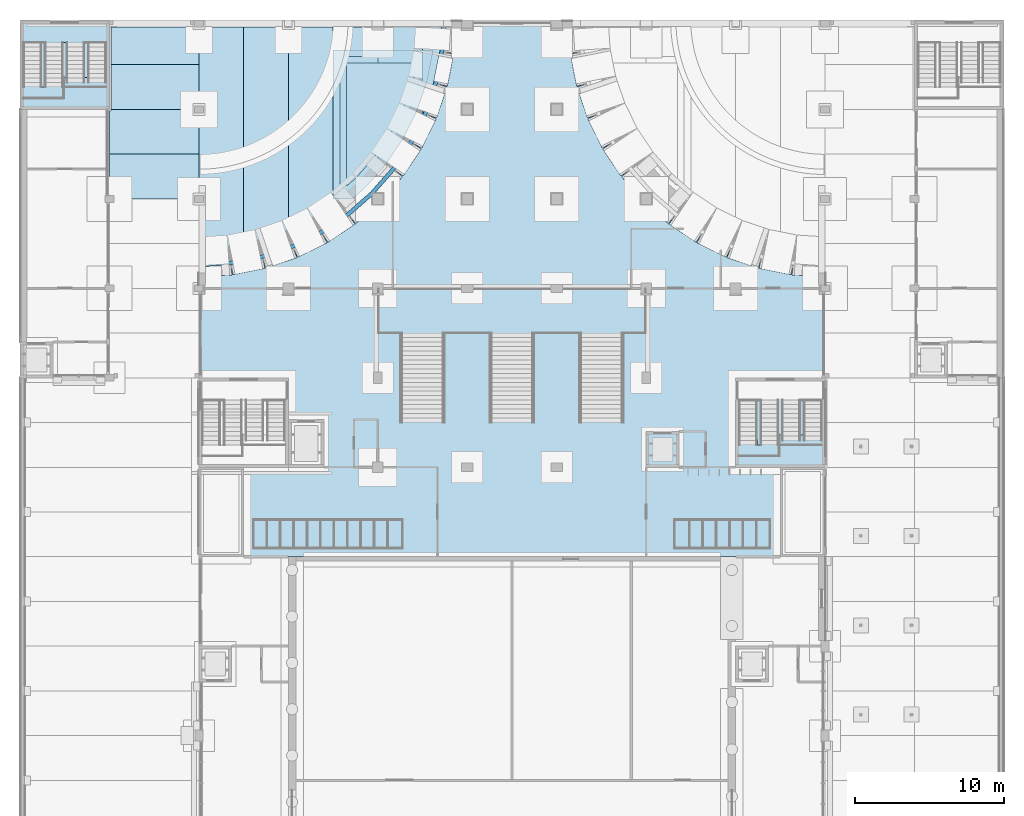
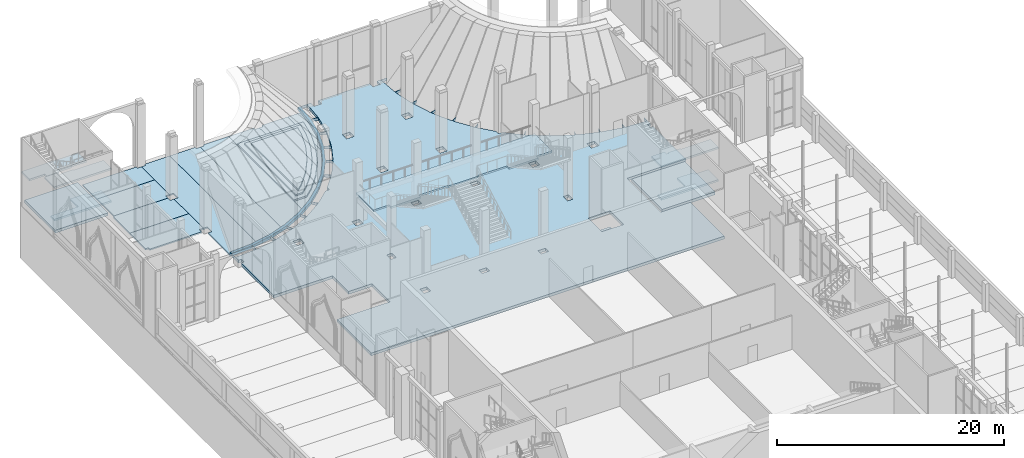
# One storey, part 37 of 95: 24 slabs, 3 elements without a shape of their own.
"""IFC4 building model written with IfcOpenShell, lengths in metres."""

from ifc_helpers import new_model, si_unit, direction, frame, origin, place, context, subcontext, project, spatial, polyline, outline, extrude, material, layer, layer_set, type_object, element, aggregate, save


model = new_model("IFC4")

# Units and contexts
model_context = context("Model", 3, precision=1e-05, world=origin(), true_north=direction((0.0, 1.0)))
body_context = subcontext(model_context, "Body", "Model", "MODEL_VIEW")
ifc_project = project(units=[si_unit("LENGTHUNIT", "METRE"), si_unit("AREAUNIT", "SQUARE_METRE"), si_unit("VOLUMEUNIT", "CUBIC_METRE"), si_unit("PLANEANGLEUNIT", "RADIAN"), si_unit("MASSUNIT", "GRAM", prefix="KILO")], contexts=[model_context])

# Site, building, storey
site_placement = place(None, origin())
site = spatial("IfcSite", under=ifc_project, at=site_placement, CompositionType="ELEMENT")
building_placement = place(site_placement, origin())
building = spatial("IfcBuilding", under=site, at=building_placement, Name="Saffron Lane Theatres", CompositionType="ELEMENT")
storey_placement = place(building_placement, origin())
storey = spatial("IfcBuildingStorey", under=building, at=storey_placement, Name="L00", CompositionType="ELEMENT", Elevation=0.0)

# Slabs
ifc_material_1 = material(Name="Masonry bluestone paving", Category="masonry")
ifc_layer_1 = layer(ifc_material_1, 0.14990234375)
ifc_layer_set_1 = layer_set([ifc_layer_1], Name="Masonry bluestone paving")
slab_type_1 = type_object("IfcSlabType", Name="EX-PAVING BLUESTONE 150", PredefinedType="USERDEFINED", material=ifc_layer_set_1)
slab_1_placement = place(storey_placement, frame((0.0, 0.0, -0.14990234375)))
element("IfcSlab", 1, at=slab_1_placement, inside=storey, type_object=slab_type_1, Name="West arcade lane paving 6", ObjectType="PAVING", PredefinedType="USERDEFINED", context=body_context, shape_type="SweptSolid", body=[
    extrude(outline(polyline([(6.00390625, 119.880126953125), (6.00390625, 117.0), (12.0, 117.0), (12.0, 119.59619140625), (11.60009765625, 119.59619140625), (11.599609375, 119.59619140625), (11.599365234375, 119.59619140625), (11.598876953125, 119.59619140625), (11.5986328125, 119.596435546875), (11.59814453125, 119.5966796875), (11.597900390625, 119.5966796875), (11.59765625, 119.596923828125), (11.59716796875, 119.59716796875), (11.596923828125, 119.59765625), (11.5966796875, 119.597900390625), (11.5966796875, 119.59814453125), (11.596435546875, 119.5986328125), (11.59619140625, 119.598876953125), (11.59619140625, 119.599365234375), (11.59619140625, 119.599609375), (11.59619140625, 119.60009765625), (11.59619140625, 120.0), (6.1201171875, 120.0), (6.119384765625, 119.98828125), (6.11767578125, 119.9765625), (6.11474609375, 119.965087890625), (6.11083984375, 119.9541015625), (6.105712890625, 119.943359375), (6.099853515625, 119.933349609375), (6.0927734375, 119.923828125), (6.0849609375, 119.9150390625), (6.076171875, 119.9072265625), (6.066650390625, 119.900146484375), (6.056640625, 119.894287109375), (6.0458984375, 119.88916015625), (6.034912109375, 119.88525390625), (6.0234375, 119.88232421875), (6.01171875, 119.880615234375), (6.00390625, 119.880126953125)])), origin(), (0.0, 0.0, 1.0), 0.14990234375),
])
slab_2_placement = place(storey_placement, frame((0.0, 0.0, -0.14990234375)))
element("IfcSlab", 2, at=slab_2_placement, inside=storey, type_object=slab_type_1, Name="West arcade lane paving 8", ObjectType="PAVING", PredefinedType="USERDEFINED", context=body_context, shape_type="SweptSolid", body=[
    extrude(outline(polyline([(6.1201171875, 125.54541015625), (6.1201171875, 123.0), (12.0, 123.0), (12.0, 125.345703125), (11.60009765625, 125.345703125), (11.599609375, 125.345703125), (11.599365234375, 125.345703125), (11.598876953125, 125.345703125), (11.5986328125, 125.345947265625), (11.59814453125, 125.34619140625), (11.597900390625, 125.34619140625), (11.59765625, 125.346435546875), (11.59716796875, 125.3466796875), (11.596923828125, 125.34716796875), (11.5966796875, 125.347412109375), (11.5966796875, 125.34765625), (11.596435546875, 125.34814453125), (11.59619140625, 125.348388671875), (11.59619140625, 125.348876953125), (11.59619140625, 125.34912109375), (11.59619140625, 125.349609375), (11.59619140625, 125.54541015625), (6.1201171875, 125.54541015625)])), origin(), (0.0, 0.0, 1.0), 0.14990234375),
])
slab_3_placement = place(storey_placement, frame((0.0, 0.0, -0.14990234375)))
element("IfcSlab", 3, at=slab_3_placement, inside=storey, type_object=slab_type_1, Name="West forecourt paving 3", ObjectType="PAVING", PredefinedType="USERDEFINED", context=body_context, shape_type="SweptSolid", body=[
    extrude(outline(polyline([(17.59619140625, 125.54541015625), (15.0, 125.54541015625), (15.0, 110.0166015625), (16.2177734375, 110.2587890625), (18.0, 110.86376953125), (18.0, 125.345703125), (17.60009765625, 125.345703125), (17.599609375, 125.345703125), (17.599365234375, 125.345703125), (17.598876953125, 125.345703125), (17.5986328125, 125.345947265625), (17.59814453125, 125.34619140625), (17.597900390625, 125.34619140625), (17.59765625, 125.346435546875), (17.59716796875, 125.3466796875), (17.596923828125, 125.34716796875), (17.5966796875, 125.347412109375), (17.5966796875, 125.34765625), (17.596435546875, 125.34814453125), (17.59619140625, 125.348388671875), (17.59619140625, 125.348876953125), (17.59619140625, 125.34912109375), (17.59619140625, 125.349609375), (17.59619140625, 125.54541015625)])), origin(), (0.0, 0.0, 1.0), 0.14990234375),
])
slab_4_placement = place(storey_placement, frame((0.0, 0.0, -0.14990234375)))
element("IfcSlab", 4, at=slab_4_placement, inside=storey, type_object=slab_type_1, Name="West forecourt paving 7", ObjectType="PAVING", PredefinedType="USERDEFINED", context=body_context, shape_type="SweptSolid", body=[
    extrude(outline(polyline([(23.59619140625, 125.54541015625), (21.0, 125.54541015625), (21.0, 112.4560546875), (21.92041015625, 113.071044921875), (23.52294921875, 114.4765625), (24.0, 115.0205078125), (24.0, 125.320556640625), (23.60009765625, 125.320556640625), (23.599609375, 125.320556640625), (23.599365234375, 125.320556640625), (23.598876953125, 125.320556640625), (23.5986328125, 125.32080078125), (23.59814453125, 125.321044921875), (23.597900390625, 125.321044921875), (23.59765625, 125.3212890625), (23.59716796875, 125.321533203125), (23.596923828125, 125.322021484375), (23.5966796875, 125.322265625), (23.5966796875, 125.322509765625), (23.596435546875, 125.322998046875), (23.59619140625, 125.3232421875), (23.59619140625, 125.32373046875), (23.59619140625, 125.323974609375), (23.59619140625, 125.324462890625), (23.59619140625, 125.54541015625)])), origin(), (0.0, 0.0, 1.0), 0.14990234375),
])
slab_5_placement = place(storey_placement, frame((0.0, 0.0, -0.14990234375)))
element("IfcSlab", 5, at=slab_5_placement, inside=storey, type_object=slab_type_1, Name="West forecourt paving 11", ObjectType="PAVING", PredefinedType="USERDEFINED", context=body_context, shape_type="SweptSolid", body=[
    extrude(outline(polyline([(28.266357421875, 125.54541015625), (27.0, 125.54541015625), (27.0, 119.65087890625), (27.055419921875, 119.763427734375), (27.74072265625, 121.78173828125), (28.15673828125, 123.872314453125), (28.266357421875, 125.54541015625)])), origin(), (0.0, 0.0, 1.0), 0.14990234375),
])
ifc_material_2 = material(Name="Masonry sandstone paving", Category="masonry")
ifc_layer_2 = layer(ifc_material_2, 0.14990234375)
ifc_layer_set_2 = layer_set([ifc_layer_2], Name="Masonry sandstone paving")
slab_type_2 = type_object("IfcSlabType", Name="EX-PAVING SANDSTONE 150", PredefinedType="USERDEFINED", material=ifc_layer_set_2)
slab_6_placement = place(storey_placement, frame((0.0, 0.0, -0.14990234375)))
element("IfcSlab", 6, at=slab_6_placement, inside=storey, type_object=slab_type_2, Name="West arcade lane paving 5", ObjectType="PAVING", PredefinedType="USERDEFINED", context=body_context, shape_type="SweptSolid", body=[
    extrude(outline(polyline([(6.303955078125, 114.22509765625), (6.303955078125, 114.0), (11.59619140625, 114.0), (11.59619140625, 114.39990234375), (11.59619140625, 114.400390625), (11.59619140625, 114.400634765625), (11.59619140625, 114.401123046875), (11.596435546875, 114.4013671875), (11.5966796875, 114.40185546875), (11.5966796875, 114.402099609375), (11.596923828125, 114.40234375), (11.59716796875, 114.40283203125), (11.59765625, 114.403076171875), (11.597900390625, 114.4033203125), (11.59814453125, 114.4033203125), (11.5986328125, 114.403564453125), (11.598876953125, 114.40380859375), (11.599365234375, 114.40380859375), (11.599609375, 114.40380859375), (11.60009765625, 114.40380859375), (12.0, 114.40380859375), (12.0, 117.0), (6.00390625, 117.0), (6.00390625, 114.22900390625), (6.300048828125, 114.22900390625), (6.30029296875, 114.22900390625), (6.30078125, 114.22900390625), (6.30126953125, 114.228759765625), (6.301513671875, 114.228759765625), (6.302001953125, 114.228515625), (6.30224609375, 114.228271484375), (6.302490234375, 114.22802734375), (6.302734375, 114.227783203125), (6.302978515625, 114.2275390625), (6.30322265625, 114.227294921875), (6.303466796875, 114.226806640625), (6.3037109375, 114.2265625), (6.3037109375, 114.22607421875), (6.303955078125, 114.225830078125), (6.303955078125, 114.225341796875), (6.303955078125, 114.22509765625)])), origin(), (0.0, 0.0, 1.0), 0.14990234375),
])
slab_7_placement = place(storey_placement, frame((0.0, 0.0, -0.14990234375)))
element("IfcSlab", 7, at=slab_7_placement, inside=storey, type_object=slab_type_2, Name="West arcade lane paving 7", ObjectType="PAVING", PredefinedType="USERDEFINED", context=body_context, shape_type="SweptSolid", body=[
    extrude(outline(polyline([(6.1201171875, 123.0), (6.1201171875, 120.0), (11.59619140625, 120.0), (11.59619140625, 120.39990234375), (11.59619140625, 120.400390625), (11.59619140625, 120.400634765625), (11.59619140625, 120.401123046875), (11.596435546875, 120.4013671875), (11.5966796875, 120.40185546875), (11.5966796875, 120.402099609375), (11.596923828125, 120.40234375), (11.59716796875, 120.40283203125), (11.59765625, 120.403076171875), (11.597900390625, 120.4033203125), (11.59814453125, 120.4033203125), (11.5986328125, 120.403564453125), (11.598876953125, 120.40380859375), (11.599365234375, 120.40380859375), (11.599609375, 120.40380859375), (11.60009765625, 120.40380859375), (12.0, 120.40380859375), (12.0, 123.0), (6.1201171875, 123.0)])), origin(), (0.0, 0.0, 1.0), 0.14990234375),
])
slab_8_placement = place(storey_placement, frame((0.0, 0.0, -0.14990234375)))
element("IfcSlab", 8, at=slab_8_placement, inside=storey, type_object=slab_type_2, Name="West forecourt paving 1", ObjectType="PAVING", PredefinedType="USERDEFINED", context=body_context, shape_type="SweptSolid", body=[
    extrude(outline(polyline([(12.40234375, 125.346435546875), (12.402099609375, 125.34619140625), (12.40185546875, 125.34619140625), (12.4013671875, 125.345947265625), (12.401123046875, 125.345703125), (12.400634765625, 125.345703125), (12.400390625, 125.345703125), (12.39990234375, 125.345703125), (12.0, 125.345703125), (12.0, 120.40380859375), (12.39990234375, 120.40380859375), (12.400390625, 120.40380859375), (12.400634765625, 120.40380859375), (12.401123046875, 120.40380859375), (12.4013671875, 120.403564453125), (12.40185546875, 120.4033203125), (12.402099609375, 120.4033203125), (12.40234375, 120.403076171875), (12.40283203125, 120.40283203125), (12.403076171875, 120.40234375), (12.4033203125, 120.402099609375), (12.4033203125, 120.40185546875), (12.403564453125, 120.4013671875), (12.40380859375, 120.401123046875), (12.40380859375, 120.400634765625), (12.40380859375, 120.400390625), (12.40380859375, 120.39990234375), (12.40380859375, 119.60009765625), (12.40380859375, 119.599609375), (12.40380859375, 119.599365234375), (12.40380859375, 119.598876953125), (12.403564453125, 119.5986328125), (12.4033203125, 119.59814453125), (12.4033203125, 119.597900390625), (12.403076171875, 119.59765625), (12.40283203125, 119.59716796875), (12.40234375, 119.596923828125), (12.402099609375, 119.5966796875), (12.40185546875, 119.5966796875), (12.4013671875, 119.596435546875), (12.401123046875, 119.59619140625), (12.400634765625, 119.59619140625), (12.400390625, 119.59619140625), (12.39990234375, 119.59619140625), (12.0, 119.59619140625), (12.0, 114.40380859375), (12.39990234375, 114.40380859375), (12.400390625, 114.40380859375), (12.400634765625, 114.40380859375), (12.401123046875, 114.40380859375), (12.4013671875, 114.403564453125), (12.40185546875, 114.4033203125), (12.402099609375, 114.4033203125), (12.40234375, 114.403076171875), (12.40283203125, 114.40283203125), (12.403076171875, 114.40234375), (12.4033203125, 114.402099609375), (12.4033203125, 114.40185546875), (12.403564453125, 114.4013671875), (12.40380859375, 114.401123046875), (12.40380859375, 114.400634765625), (12.40380859375, 114.400390625), (12.40380859375, 114.39990234375), (12.40380859375, 113.60009765625), (12.40380859375, 113.599609375), (12.40380859375, 113.599365234375), (12.40380859375, 113.598876953125), (12.403564453125, 113.5986328125), (12.4033203125, 113.59814453125), (12.4033203125, 113.597900390625), (12.403076171875, 113.59765625), (12.40283203125, 113.59716796875), (12.40234375, 113.596923828125), (12.402099609375, 113.5966796875), (12.40185546875, 113.5966796875), (12.4013671875, 113.596435546875), (12.401123046875, 113.59619140625), (12.400634765625, 113.59619140625), (12.400390625, 113.59619140625), (12.39990234375, 113.59619140625), (12.0, 113.59619140625), (12.0, 109.70361328125), (14.127197265625, 109.8427734375), (15.0, 110.0166015625), (15.0, 125.54541015625), (12.40380859375, 125.54541015625), (12.40380859375, 125.349609375), (12.40380859375, 125.34912109375), (12.40380859375, 125.348876953125), (12.40380859375, 125.348388671875), (12.403564453125, 125.34814453125), (12.4033203125, 125.34765625), (12.4033203125, 125.347412109375), (12.403076171875, 125.34716796875), (12.40283203125, 125.3466796875), (12.40234375, 125.346435546875)])), origin(), (0.0, 0.0, 1.0), 0.14990234375),
])
slab_9_placement = place(storey_placement, frame((0.0, 0.0, -0.14990234375)))
element("IfcSlab", 9, at=slab_9_placement, inside=storey, type_object=slab_type_2, Name="West forecourt paving 5", ObjectType="PAVING", PredefinedType="USERDEFINED", context=body_context, shape_type="SweptSolid", body=[
    extrude(outline(polyline([(18.39990234375, 125.345703125), (18.0, 125.345703125), (18.0, 110.86376953125), (18.236083984375, 110.944091796875), (20.14794921875, 111.88671875), (21.0, 112.4560546875), (21.0, 125.54541015625), (18.40380859375, 125.54541015625), (18.40380859375, 125.349609375), (18.40380859375, 125.34912109375), (18.40380859375, 125.348876953125), (18.40380859375, 125.348388671875), (18.403564453125, 125.34814453125), (18.4033203125, 125.34765625), (18.4033203125, 125.347412109375), (18.403076171875, 125.34716796875), (18.40283203125, 125.3466796875), (18.40234375, 125.346435546875), (18.402099609375, 125.34619140625), (18.40185546875, 125.34619140625), (18.4013671875, 125.345947265625), (18.401123046875, 125.345703125), (18.400634765625, 125.345703125), (18.400390625, 125.345703125), (18.39990234375, 125.345703125)])), origin(), (0.0, 0.0, 1.0), 0.14990234375),
])
slab_10_placement = place(storey_placement, frame((0.0, 0.0, -0.14990234375)))
element("IfcSlab", 10, at=slab_10_placement, inside=storey, type_object=slab_type_2, Name="West forecourt paving 9", ObjectType="PAVING", PredefinedType="USERDEFINED", context=body_context, shape_type="SweptSolid", body=[
    extrude(outline(polyline([(24.39990234375, 125.320556640625), (24.0, 125.320556640625), (24.0, 115.0205078125), (24.928466796875, 116.0791015625), (26.11279296875, 117.8515625), (27.0, 119.65087890625), (27.0, 125.54541015625), (24.40380859375, 125.54541015625), (24.40380859375, 125.324462890625), (24.40380859375, 125.323974609375), (24.40380859375, 125.32373046875), (24.40380859375, 125.3232421875), (24.403564453125, 125.322998046875), (24.4033203125, 125.322509765625), (24.4033203125, 125.322265625), (24.403076171875, 125.322021484375), (24.40283203125, 125.321533203125), (24.40234375, 125.3212890625), (24.402099609375, 125.321044921875), (24.40185546875, 125.321044921875), (24.4013671875, 125.32080078125), (24.401123046875, 125.320556640625), (24.400634765625, 125.320556640625), (24.400390625, 125.320556640625), (24.39990234375, 125.320556640625)])), origin(), (0.0, 0.0, 1.0), 0.14990234375),
])
ifc_material_3 = material(Name="Masonry sandstone paving", Category="masonry")
ifc_layer_3 = layer(ifc_material_3, 0.14990234375)
ifc_layer_set_3 = layer_set([ifc_layer_3], Name="Masonry sandstone paving")
slab_type_3 = type_object("IfcSlabType", Name="EX-PLAZA STEP SANDSTONE 150 1", PredefinedType="USERDEFINED", material=ifc_layer_set_3)
slab_11_placement = place(storey_placement, origin())
element("IfcSlab", 11, at=slab_11_placement, inside=storey, type_object=slab_type_3, Name="Plaza step 1 NW 1", ObjectType="PAVING", PredefinedType="USERDEFINED", context=body_context, shape_type="SweptSolid", body=[
    extrude(outline(polyline([(21.0, 124.0), (21.0, 114.0), (22.297119140625, 114.0), (23.2041015625, 114.79541015625), (24.57080078125, 116.353759765625), (25.72216796875, 118.076904296875), (26.638916015625, 119.93603515625), (27.30517578125, 121.8984375), (27.70947265625, 123.931396484375), (27.714111328125, 124.0), (21.0, 124.0)])), origin(), (0.0, 0.0, 1.0), 0.14990234375),
])
ifc_material_4 = material(Name="Masonry sandstone paving", Category="masonry")
ifc_layer_4 = layer(ifc_material_4, 0.14990234375)
ifc_layer_set_4 = layer_set([ifc_layer_4], Name="Masonry sandstone paving")
slab_type_4 = type_object("IfcSlabType", Name="EX-PLAZA STEP SANDSTONE 150 2", PredefinedType="USERDEFINED", material=ifc_layer_set_4)
slab_12_placement = place(storey_placement, frame((0.0, 0.0, 0.14990234375)))
element("IfcSlab", 12, at=slab_12_placement, inside=storey, type_object=slab_type_4, Name="Plaza step 2 NW 1", ObjectType="PAVING", PredefinedType="USERDEFINED", context=body_context, shape_type="SweptSolid", body=[
    extrude(outline(polyline([(21.449951171875, 123.550048828125), (21.449951171875, 114.449951171875), (22.127685546875, 114.449951171875), (22.88525390625, 115.1142578125), (24.212890625, 116.628173828125), (25.33154296875, 118.302490234375), (26.22216796875, 120.1083984375), (26.86962890625, 122.01513671875), (27.1748046875, 123.550048828125), (21.449951171875, 123.550048828125)])), origin(), (0.0, 0.0, 1.0), 0.150146484375),
])
ifc_material_5 = material(Name="Masonry sandstone paving", Category="masonry")
ifc_layer_5 = layer(ifc_material_5, 0.14990234375)
ifc_layer_set_5 = layer_set([ifc_layer_5], Name="Masonry sandstone paving")
slab_type_5 = type_object("IfcSlabType", Name="EX-PLAZA STEP SANDSTONE 150 3", PredefinedType="USERDEFINED", material=ifc_layer_set_5)
slab_13_placement = place(storey_placement, frame((0.0, 0.0, 0.300048828125)))
element("IfcSlab", 13, at=slab_13_placement, inside=storey, type_object=slab_type_5, Name="Plaza step 3 NW 1", ObjectType="PAVING", PredefinedType="USERDEFINED", context=body_context, shape_type="SweptSolid", body=[
    extrude(outline(polyline([(21.89990234375, 123.10009765625), (21.89990234375, 114.89990234375), (21.95849609375, 114.89990234375), (22.56640625, 115.43310546875), (23.855224609375, 116.90283203125), (24.941162109375, 118.52783203125), (25.8056640625, 120.281005859375), (26.433837890625, 122.1318359375), (26.62646484375, 123.10009765625), (21.89990234375, 123.10009765625)])), origin(), (0.0, 0.0, 1.0), 0.14990234375),
])
ifc_material_6 = material(Name="Concrete N40 (40 MPa)", Category="concrete")
ifc_layer_6 = layer(ifc_material_6, 0.300048828125)
ifc_layer_set_6 = layer_set([ifc_layer_6], Name="Concrete N40 (40 MPa)")
slab_type_6 = type_object("IfcSlabType", Name="RC-SLAB BASE 300", PredefinedType="BASESLAB", material=ifc_layer_set_6)
slab_14_placement = place(storey_placement, origin())
element("IfcSlab", 14, at=slab_14_placement, inside=storey, type_object=slab_type_6, Name="slab-L00-BRICK-1", PredefinedType="BASESLAB", context=body_context, shape_type="SweptSolid", body=[
    extrude(outline(polyline([(47.5, 90.0), (48.0, 90.0), (51.0, 90.0), (51.0, 96.0), (48.0, 96.0), (48.0, 102.0), (54.0, 102.0), (54.0, 107.77294921875), (53.697998046875, 107.77294921875), (53.697998046875, 108.22705078125), (54.0, 108.22705078125), (54.0, 109.403564453125), (53.958251953125, 108.7666015625), (51.7919921875, 108.90869140625), (51.833740234375, 109.545654296875), (51.709228515625, 108.91943359375), (49.580078125, 109.343017578125), (49.70458984375, 109.968994140625), (49.49951171875, 109.364501953125), (47.44384765625, 110.0625), (47.64892578125, 110.6669921875), (47.36669921875, 110.094482421875), (45.419677734375, 111.054443359375), (45.7021484375, 111.626953125), (45.347412109375, 111.09619140625), (43.54248046875, 112.30224609375), (43.897216796875, 112.8330078125), (43.476318359375, 112.353271484375), (42.0283203125, 113.623046875), (41.623046875, 113.623046875), (41.623046875, 114.0283203125), (40.353759765625, 115.4755859375), (40.83349609375, 115.896484375), (40.302734375, 115.5419921875), (39.0966796875, 117.346923828125), (39.62744140625, 117.70166015625), (39.054931640625, 117.419189453125), (38.094970703125, 119.3662109375), (38.66748046875, 119.6484375), (38.06298828125, 119.443359375), (37.364990234375, 121.4990234375), (37.969482421875, 121.7041015625), (37.343505859375, 121.57958984375), (36.919921875, 123.708740234375), (37.546142578125, 123.833251953125), (36.9091796875, 123.79150390625), (36.76708984375, 125.957763671875), (37.404052734375, 125.99951171875), (36.376953125, 125.99951171875), (36.376953125, 125.447509765625), (35.623046875, 125.447509765625), (35.623046875, 125.99951171875), (30.376953125, 125.99951171875), (30.376953125, 125.447509765625), (29.623046875, 125.447509765625), (29.623046875, 125.99951171875), (28.595947265625, 125.99951171875), (29.23291015625, 125.957763671875), (29.0908203125, 123.79150390625), (28.453857421875, 123.833251953125), (29.080078125, 123.708740234375), (28.656494140625, 121.57958984375), (28.030517578125, 121.7041015625), (28.635009765625, 121.4990234375), (27.93701171875, 119.443359375), (27.33251953125, 119.6484375), (27.905029296875, 119.3662109375), (26.945068359375, 117.419189453125), (26.37255859375, 117.70166015625), (26.9033203125, 117.346923828125), (25.697265625, 115.5419921875), (25.16650390625, 115.896484375), (25.646240234375, 115.4755859375), (24.376953125, 114.0283203125), (24.376953125, 113.623046875), (23.9716796875, 113.623046875), (22.523681640625, 112.353271484375), (22.102783203125, 112.8330078125), (22.45751953125, 112.30224609375), (20.652587890625, 111.09619140625), (20.2978515625, 111.626953125), (20.580322265625, 111.054443359375), (18.63330078125, 110.094482421875), (18.35107421875, 110.6669921875), (18.55615234375, 110.0625), (16.50048828125, 109.364501953125), (16.29541015625, 109.968994140625), (16.419921875, 109.343017578125), (14.290771484375, 108.91943359375), (14.166259765625, 109.545654296875), (14.2080078125, 108.90869140625), (12.041748046875, 108.7666015625), (12.0, 109.403564453125), (12.0, 108.22705078125), (12.302001953125, 108.22705078125), (12.302001953125, 107.77294921875), (12.0, 107.77294921875), (12.0, 102.0), (18.0, 102.0), (18.0, 99.199951171875), (20.39990234375, 99.199951171875), (20.39990234375, 96.0), (18.0, 96.0), (15.0, 96.0), (15.0, 90.0), (18.0, 90.0), (18.5, 90.0), (47.5, 90.0)]), holes=[polyline([(47.623046875, 108.376953125), (48.376953125, 108.376953125), (48.376953125, 107.623046875), (47.623046875, 107.623046875), (47.623046875, 108.376953125)]), polyline([(42.0, 96.0), (42.0, 98.39990234375), (44.199951171875, 98.39990234375), (44.199951171875, 96.0), (42.0, 96.0)]), polyline([(41.64794921875, 107.64794921875), (41.64794921875, 108.35205078125), (42.35205078125, 108.35205078125), (42.35205078125, 107.64794921875), (41.64794921875, 107.64794921875)]), polyline([(41.722900390625, 102.376953125), (42.277099609375, 102.376953125), (42.277099609375, 101.623046875), (41.722900390625, 101.623046875), (41.722900390625, 102.376953125)]), polyline([(35.623046875, 95.722900390625), (35.623046875, 96.277099609375), (36.376953125, 96.277099609375), (36.376953125, 95.722900390625), (35.623046875, 95.722900390625)]), polyline([(35.623046875, 119.623046875), (35.623046875, 120.376953125), (36.376953125, 120.376953125), (36.376953125, 119.623046875), (35.623046875, 119.623046875)]), polyline([(35.623046875, 113.623046875), (35.623046875, 114.376953125), (36.376953125, 114.376953125), (36.376953125, 113.623046875), (35.623046875, 113.623046875)]), polyline([(35.623046875, 108.277099609375), (36.376953125, 108.277099609375), (36.376953125, 107.722900390625), (35.623046875, 107.722900390625), (35.623046875, 108.277099609375)]), polyline([(29.623046875, 120.376953125), (30.376953125, 120.376953125), (30.376953125, 119.623046875), (29.623046875, 119.623046875), (29.623046875, 120.376953125)]), polyline([(29.623046875, 113.623046875), (29.623046875, 114.376953125), (30.376953125, 114.376953125), (30.376953125, 113.623046875), (29.623046875, 113.623046875)]), polyline([(29.623046875, 108.277099609375), (30.376953125, 108.277099609375), (30.376953125, 107.722900390625), (29.623046875, 107.722900390625), (29.623046875, 108.277099609375)]), polyline([(29.623046875, 95.722900390625), (29.623046875, 96.277099609375), (30.376953125, 96.277099609375), (30.376953125, 95.722900390625), (29.623046875, 95.722900390625)]), polyline([(23.64794921875, 107.64794921875), (23.64794921875, 108.35205078125), (24.35205078125, 108.35205078125), (24.35205078125, 107.64794921875), (23.64794921875, 107.64794921875)]), polyline([(23.64794921875, 96.35205078125), (24.35205078125, 96.35205078125), (24.35205078125, 95.64794921875), (23.64794921875, 95.64794921875), (23.64794921875, 96.35205078125)]), polyline([(23.722900390625, 101.623046875), (23.722900390625, 102.376953125), (24.277099609375, 102.376953125), (24.277099609375, 101.623046875), (23.722900390625, 101.623046875)]), polyline([(17.623046875, 107.623046875), (17.623046875, 108.376953125), (18.376953125, 108.376953125), (18.376953125, 107.623046875), (17.623046875, 107.623046875)])]), origin(), (0.0, 0.0, 1.0), 0.300048828125),
])
slab_15_placement = place(storey_placement, origin())
element("IfcSlab", 15, at=slab_15_placement, inside=storey, type_object=slab_type_6, Name="slab-L00-BRICK-2", PredefinedType="BASESLAB", context=body_context, shape_type="SweptSolid", body=[
    extrude(outline(polyline([(12.0, 113.77294921875), (12.0, 113.77294921875), (12.0, 109.436279296875), (14.161865234375, 109.577880859375), (16.286865234375, 110.00048828125), (18.33837890625, 110.697021484375), (20.28173828125, 111.6552734375), (22.0830078125, 112.85888671875), (23.623046875, 114.20947265625), (23.623046875, 114.376953125), (23.79052734375, 114.376953125), (25.140625, 115.91650390625), (26.34423828125, 117.7177734375), (27.302490234375, 119.660888671875), (27.998779296875, 121.712646484375), (28.421630859375, 123.837646484375), (28.563232421875, 125.99951171875), (28.300048828125, 125.99951171875), (28.16064453125, 123.871826171875), (27.74462890625, 121.78076171875), (27.05908203125, 119.76171875), (26.1162109375, 117.849609375), (24.931640625, 116.07666015625), (23.52587890625, 114.4736328125), (21.9228515625, 113.06787109375), (20.14990234375, 111.88330078125), (18.23779296875, 110.940185546875), (16.21875, 110.2548828125), (14.127685546875, 109.8388671875), (12.0, 109.699462890625), (12.0, 113.77294921875)])), origin(), (0.0, 0.0, 1.0), 0.300048828125),
])
slab_16_placement = place(storey_placement, origin())
element("IfcSlab", 16, at=slab_16_placement, inside=storey, type_object=slab_type_6, Name="slab-L00-core-ST2", PredefinedType="BASESLAB", context=body_context, shape_type="SweptSolid", body=[
    extrude(outline(polyline([(48.300048828125, 96.300048828125), (53.699951171875, 96.300048828125), (53.699951171875, 101.699951171875), (48.300048828125, 101.699951171875), (48.300048828125, 96.300048828125)])), origin(), (0.0, 0.0, 1.0), 0.300048828125),
])
slab_17_placement = place(storey_placement, origin())
element("IfcSlab", 17, at=slab_17_placement, inside=storey, type_object=slab_type_6, Name="slab-L00-core-ST14", PredefinedType="BASESLAB", context=body_context, shape_type="SweptSolid", body=[
    extrude(outline(polyline([(0.300048828125, 120.300048828125), (5.699951171875, 120.300048828125), (5.699951171875, 125.699951171875), (0.300048828125, 125.699951171875), (0.300048828125, 120.300048828125)])), origin(), (0.0, 0.0, 1.0), 0.300048828125),
])
slab_18_placement = place(storey_placement, frame((0.0, 0.0, -1.699951171875)))
element("IfcSlab", 18, at=slab_18_placement, inside=storey, type_object=slab_type_6, Name="slab-pit-LC2", PredefinedType="BASESLAB", context=body_context, shape_type="SweptSolid", body=[
    extrude(outline(polyline([(42.0, 96.0), (44.199951171875, 96.0), (44.199951171875, 98.39990234375), (42.0, 98.39990234375), (42.0, 96.0)])), origin(), (0.0, 0.0, 1.0), 0.300048828125),
])

# Stair, slabs
ifc_material_7 = material(Name="Concrete N40 (40 MPa)", Category="concrete")
stair_type_1 = type_object("IfcStairType", Name="VC-STAIR EXIT", PredefinedType="TWO_STRAIGHT_RUN_STAIR", material=ifc_material_7)
stair_1_placement = place(storey_placement, origin())
stair_1 = element("IfcStair", 19, at=stair_1_placement, inside=storey, type_object=stair_type_1, Name="Brick Block East Stair L00 to L01", PredefinedType="TWO_STRAIGHT_RUN_STAIR")
ifc_material_8 = material(Name="Concrete N40 (40 MPa)", Category="concrete")
ifc_layer_7 = layer(ifc_material_8, 0.199951171875)
ifc_layer_set_7 = layer_set([ifc_layer_7], Name="Concrete N40 (40 MPa)")
slab_type_7 = type_object("IfcSlabType", Name="VC-LANDING 200", PredefinedType="LANDING", material=ifc_layer_set_7)
slab_19_placement = place(storey_placement, frame((0.0, 0.0, 1.466552734375)))
slab_19 = element("IfcSlab", 20, at=slab_19_placement, type_object=slab_type_7, Name="ST4 landing 1", PredefinedType="LANDING", context=body_context, shape_type="SweptSolid", body=[
    extrude(outline(polyline([(50.89990234375, 98.14990234375), (52.550048828125, 98.14990234375), (52.550048828125, 97.89990234375), (53.89990234375, 97.89990234375), (53.89990234375, 96.10009765625), (48.10009765625, 96.10009765625), (48.10009765625, 96.75), (50.89990234375, 96.75), (50.89990234375, 98.14990234375)])), origin(), (0.0, 0.0, 1.0), 0.2001953125),
])
slab_20_placement = place(storey_placement, frame((0.0, 0.0, 4.966552734375)))
slab_20 = element("IfcSlab", 21, at=slab_20_placement, type_object=slab_type_7, Name="ST4 landing 3", PredefinedType="LANDING", context=body_context, shape_type="SweptSolid", body=[
    extrude(outline(polyline([(49.449951171875, 97.5), (49.64990234375, 97.5), (49.64990234375, 97.60009765625), (50.89990234375, 97.60009765625), (50.89990234375, 97.5), (53.89990234375, 97.5), (53.89990234375, 96.10009765625), (48.10009765625, 96.10009765625), (48.10009765625, 97.85009765625), (49.449951171875, 97.85009765625), (49.449951171875, 97.5)])), origin(), (0.0, 0.0, 1.0), 0.2001953125),
])
aggregate(stair_1, [slab_19, slab_20])

stair_2_placement = place(storey_placement, origin())
stair_2 = element("IfcStair", 22, at=stair_2_placement, inside=storey, type_object=stair_type_1, Name="West Wing Street Stair L00 to L01", PredefinedType="TWO_STRAIGHT_RUN_STAIR")
slab_21_placement = place(storey_placement, frame((0.0, 0.0, 1.466552734375)))
slab_21 = element("IfcSlab", 23, at=slab_21_placement, type_object=slab_type_7, Name="ST33 landing 1", PredefinedType="LANDING", context=body_context, shape_type="SweptSolid", body=[
    extrude(outline(polyline([(2.89990234375, 122.14990234375), (4.550048828125, 122.14990234375), (4.550048828125, 121.89990234375), (5.89990234375, 121.89990234375), (5.89990234375, 120.10009765625), (0.10009765625, 120.10009765625), (0.10009765625, 120.75), (2.89990234375, 120.75), (2.89990234375, 122.14990234375)])), origin(), (0.0, 0.0, 1.0), 0.2001953125),
])
slab_22_placement = place(storey_placement, frame((0.0, 0.0, 3.13330078125)))
slab_22 = element("IfcSlab", 24, at=slab_22_placement, type_object=slab_type_7, Name="ST33 landing 2", PredefinedType="LANDING", context=body_context, shape_type="SweptSolid", body=[
    extrude(outline(polyline([(0.10009765625, 124.5), (0.10009765625, 125.89990234375), (5.89990234375, 125.89990234375), (5.89990234375, 124.5), (4.35009765625, 124.5), (4.35009765625, 124.39990234375), (3.10009765625, 124.39990234375), (3.10009765625, 124.5), (2.89990234375, 124.5), (2.89990234375, 124.14990234375), (1.64990234375, 124.14990234375), (1.64990234375, 124.5), (0.10009765625, 124.5)])), origin(), (0.0, 0.0, 1.0), 0.199951171875),
])
slab_23_placement = place(storey_placement, frame((0.0, 0.0, 4.966552734375)))
slab_23 = element("IfcSlab", 25, at=slab_23_placement, type_object=slab_type_7, Name="ST33 landing 3", PredefinedType="LANDING", context=body_context, shape_type="SweptSolid", body=[
    extrude(outline(polyline([(1.449951171875, 121.5), (1.64990234375, 121.5), (1.64990234375, 121.60009765625), (2.89990234375, 121.60009765625), (2.89990234375, 121.5), (5.89990234375, 121.5), (5.89990234375, 120.10009765625), (0.10009765625, 120.10009765625), (0.10009765625, 121.85009765625), (1.449951171875, 121.85009765625), (1.449951171875, 121.5)])), origin(), (0.0, 0.0, 1.0), 0.2001953125),
])
aggregate(stair_2, [slab_21, slab_22, slab_23])

# Stair, slab
ifc_material_9 = material(Name="Concrete N40 (40 MPa)", Category="concrete")
stair_type_2 = type_object("IfcStairType", Name="VC-STAIR GRAND", PredefinedType="DOUBLE_RETURN_STAIR", material=ifc_material_9)
stair_3_placement = place(storey_placement, origin())
stair_3 = element("IfcStair", 26, at=stair_3_placement, inside=storey, type_object=stair_type_2, Name="Grand Stair L00 to L01", PredefinedType="DOUBLE_RETURN_STAIR")
slab_24_placement = place(storey_placement, frame((0.0, 0.0, 3.300048828125)))
slab_24 = element("IfcSlab", 27, at=slab_24_placement, type_object=slab_type_7, Name="ST37 landing 1", PredefinedType="LANDING", context=body_context, shape_type="SweptSolid", body=[
    extrude(outline(polyline([(25.5, 105.0), (23.89990234375, 105.0), (23.89990234375, 108.10009765625), (42.10009765625, 108.10009765625), (42.10009765625, 105.0), (40.5, 105.0), (40.5, 104.64990234375), (37.5, 104.64990234375), (37.5, 105.0), (34.5, 105.0), (34.5, 104.89990234375), (31.5, 104.89990234375), (31.5, 105.0), (28.5, 105.0), (28.5, 104.64990234375), (25.5, 104.64990234375), (25.5, 105.0)])), origin(), (0.0, 0.0, 1.0), 0.199951171875),
])
aggregate(stair_3, [slab_24])

save(model, "model.ifc")
